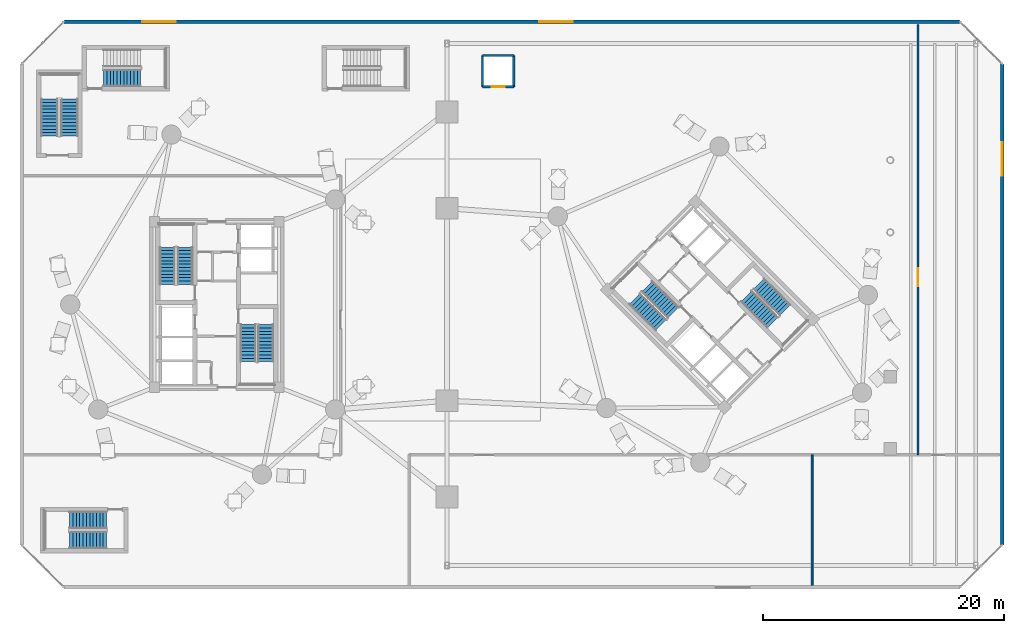
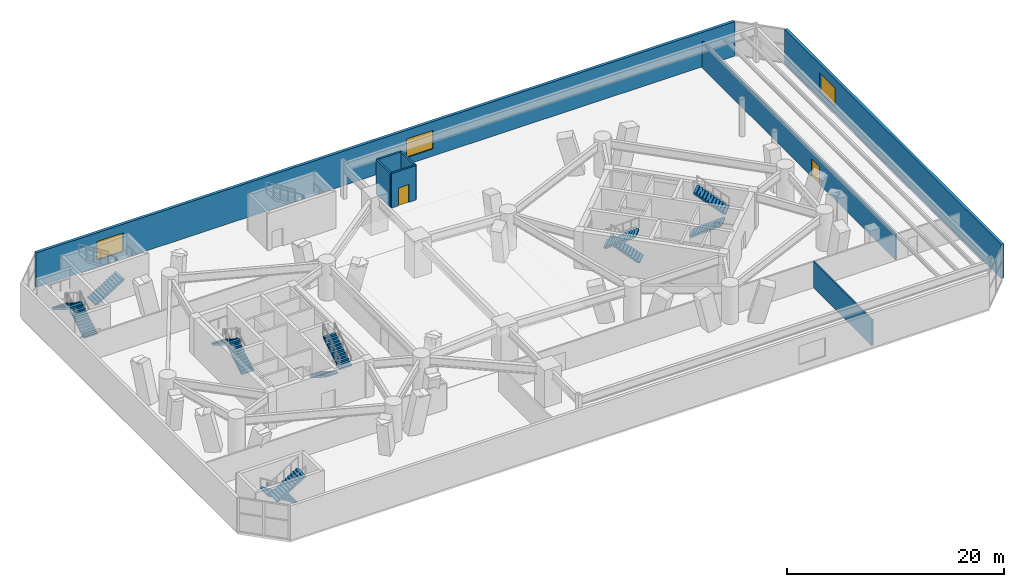
# One storey, part 14 of 20: 13 stair flights, 8 walls, 3 windows, 2 doors, 5 openings, 7 elements without a shape of their own.
"""IFC4 building model written with IfcOpenShell, lengths in metres."""

from ifc_helpers import new_model, si_unit, direction, frame, frame_2d, origin, place, context, subcontext, project, spatial, polyline, rectangle, outline, extrude, source, transform, mapped, material, layer, layer_set, type_object, element, fill, aggregate, save


model = new_model("IFC4")

# Units and contexts
model_context = context("Model", 3, precision=1e-05, world=origin(), true_north=direction((0.0, 1.0)))
body_context = subcontext(model_context, "Body", "Model", "MODEL_VIEW")
ifc_project = project(units=[si_unit("LENGTHUNIT", "METRE"), si_unit("AREAUNIT", "SQUARE_METRE"), si_unit("VOLUMEUNIT", "CUBIC_METRE"), si_unit("PLANEANGLEUNIT", "RADIAN"), si_unit("MASSUNIT", "GRAM", prefix="KILO")], contexts=[model_context])

# Site, building, storey
site_placement = place(None, origin())
site = spatial("IfcSite", under=ifc_project, at=site_placement, CompositionType="ELEMENT")
building_placement = place(site_placement, origin())
building = spatial("IfcBuilding", under=site, at=building_placement, Name="Cununo Teusaquillo Station Towers", CompositionType="ELEMENT")
storey_placement = place(building_placement, frame((0.0, 0.0, 9.0)))
storey = spatial("IfcBuildingStorey", under=building, at=storey_placement, Name="L02", CompositionType="ELEMENT", Elevation=9.0)

# Wall, openings, windows
ifc_material_1 = material(Name="Precast concrete C40/50", Category="concrete")
ifc_layer_1 = layer(ifc_material_1, 0.300048828125)
ifc_layer_set_1 = layer_set([ifc_layer_1], Name="Precast concrete C40/50")
wall_type_1 = type_object("IfcWallType", Name="WL-EXT-300", PredefinedType="SOLIDWALL", material=ifc_layer_set_1)
wall_1_placement = place(storey_placement, frame((3.800048828125, 48.0, 0.0), z_axis=(0.0, 0.0, 1.0), x_axis=(1.0, 0.0, 0.0)))
wall_1 = element("IfcWall", 1, at=wall_1_placement, inside=storey, type_object=wall_type_1, Name="L02 Station Podium Facade Wall 3", PredefinedType="SOLIDWALL", context=body_context, shape_type="SweptSolid", body=[
    extrude(rectangle(XDim=74.5, YDim=0.300048828125, at=frame_2d((37.25, 0.0))), origin(), (0.0, 0.0, 1.0), 3.885009765625),
])
shared_shape_1 = source(origin(), body_context, "Body", "SweptSolid", [
    extrude(rectangle(XDim=2.800048828125, YDim=2.10009765625, at=frame_2d((1.39990234375, 1.050048828125))), frame((0.0, 0.159912109375, 0.0), z_axis=(0.0, -1.0, 0.0), x_axis=(1.0, 0.0, 0.0)), (0.0, 0.0, 1.0), 0.320068359375),
])
opening_1_placement = place(wall_1_placement, frame((6.5, 0.0, 0.800048828125)))
opening_1 = element("IfcOpeningElement", 2, at=opening_1_placement, cuts=wall_1, Name="Opening WN-05", PredefinedType="OPENING", context=body_context, shape_type="MappedRepresentation", body=[
    mapped(shared_shape_1, transform((0.0, 0.0, 0.0), x_axis=(1.0, 0.0, 0.0), y_axis=(0.0, 1.0, 0.0), z_axis=(0.0, 0.0, 1.0), scale=1.0)),
])
opening_2_placement = place(wall_1_placement, frame((39.5, 0.0, 0.800048828125)))
opening_2 = element("IfcOpeningElement", 3, at=opening_2_placement, cuts=wall_1, Name="Opening WN-05", PredefinedType="OPENING", context=body_context, shape_type="MappedRepresentation", body=[
    mapped(shared_shape_1, transform((0.0, 0.0, 0.0), x_axis=(1.0, 0.0, 0.0), y_axis=(0.0, 1.0, 0.0), z_axis=(0.0, 0.0, 1.0), scale=1.0)),
])
ifc_material_2 = material(Name="Laminated acoustic clear low-E glazing", Category="glass")
window_type = type_object("IfcWindowType", Name="WIN-POD-2800", PartitioningType="TRIPLE_PANEL_VERTICAL", PredefinedType="WINDOW", material=ifc_material_2)
shared_shape_2 = source(origin(), body_context, "Body", "SweptSolid", [
    extrude(rectangle(XDim=2.800048828125, YDim=2.10009765625, at=frame_2d((1.39990234375, 1.050048828125))), frame((0.0, 0.030029296875, 0.0), z_axis=(0.0, -1.0, 0.0), x_axis=(1.0, 0.0, 0.0)), (0.0, 0.0, 1.0), 0.06005859375),
])
window_1_placement = place(opening_1_placement, origin())
window_1 = element("IfcWindow", 4, at=window_1_placement, inside=storey, type_object=window_type, Name="L02 Podium Ribbon Window 3.1", OverallHeight=2.10009765625, OverallWidth=2.800048828125, PartitioningType="TRIPLE_PANEL_VERTICAL", PredefinedType="WINDOW", context=body_context, shape_type="MappedRepresentation", body=[
    mapped(shared_shape_2, transform((0.0, 0.0, 0.0), x_axis=(1.0, 0.0, 0.0), y_axis=(0.0, 1.0, 0.0), z_axis=(0.0, 0.0, 1.0), scale=1.0)),
])
fill(opening_1, window_1)
window_2_placement = place(opening_2_placement, origin())
window_2 = element("IfcWindow", 5, at=window_2_placement, inside=storey, type_object=window_type, Name="L02 Podium Ribbon Window 3.4", OverallHeight=2.10009765625, OverallWidth=2.800048828125, PartitioningType="TRIPLE_PANEL_VERTICAL", PredefinedType="WINDOW", context=body_context, shape_type="MappedRepresentation", body=[
    mapped(shared_shape_2, transform((0.0, 0.0, 0.0), x_axis=(1.0, 0.0, 0.0), y_axis=(0.0, 1.0, 0.0), z_axis=(0.0, 0.0, 1.0), scale=1.0)),
])
fill(opening_2, window_2)

# Wall, opening, window
wall_2_placement = place(storey_placement, frame((81.800048828125, 44.5, 0.0), z_axis=(0.0, 0.0, 1.0), x_axis=(0.0, -1.0, 0.0)))
wall_2 = element("IfcWall", 6, at=wall_2_placement, inside=storey, type_object=wall_type_1, Name="L02 Station Podium Facade Wall 5", PredefinedType="SOLIDWALL", context=body_context, shape_type="SweptSolid", body=[
    extrude(rectangle(XDim=40.0, YDim=0.300048828125, at=frame_2d((20.0, 0.0))), origin(), (0.0, 0.0, 1.0), 3.885009765625),
])
opening_3_placement = place(wall_2_placement, frame((6.5, 0.0, 0.800048828125)))
opening_3 = element("IfcOpeningElement", 7, at=opening_3_placement, cuts=wall_2, Name="Opening WN-05", PredefinedType="OPENING", context=body_context, shape_type="MappedRepresentation", body=[
    mapped(shared_shape_1, transform((0.0, 0.0, 0.0), x_axis=(1.0, 0.0, 0.0), y_axis=(0.0, 1.0, 0.0), z_axis=(0.0, 0.0, 1.0), scale=1.0)),
])
window_3_placement = place(opening_3_placement, origin())
window_3 = element("IfcWindow", 8, at=window_3_placement, inside=storey, type_object=window_type, Name="L02 Podium Ribbon Window 5.1", OverallHeight=2.10009765625, OverallWidth=2.800048828125, PartitioningType="TRIPLE_PANEL_VERTICAL", PredefinedType="WINDOW", context=body_context, shape_type="MappedRepresentation", body=[
    mapped(shared_shape_2, transform((0.0, 0.0, 0.0), x_axis=(1.0, 0.0, 0.0), y_axis=(0.0, 1.0, 0.0), z_axis=(0.0, 0.0, 1.0), scale=1.0)),
])
fill(opening_3, window_3)

# Wall, opening, door
ifc_material_3 = material(Name="Fire-rated gypsum plasterboard partition assembly", Category="gypsum")
ifc_layer_2 = layer(ifc_material_3, 0.159912109375)
ifc_layer_set_2 = layer_set([ifc_layer_2], Name="Fire-rated gypsum plasterboard partition assembly")
wall_type_2 = type_object("IfcWallType", Name="WL-PART-160", PredefinedType="PARTITIONING", material=ifc_layer_set_2)
wall_3_placement = place(storey_placement, frame((74.800048828125, 12.0, 0.0), z_axis=(0.0, 0.0, 1.0), x_axis=(0.0, 1.0, 0.0)))
wall_3 = element("IfcWall", 9, at=wall_3_placement, inside=storey, type_object=wall_type_2, Name="L02 Station Gallery East Wing Wall", PredefinedType="PARTITIONING", context=body_context, shape_type="SweptSolid", body=[
    extrude(rectangle(XDim=35.75, YDim=0.159912109375, at=frame_2d((17.875, 0.0))), origin(), (0.0, 0.0, 1.0), 2.928955078125),
])
shared_shape_3 = source(origin(), body_context, "Body", "SweptSolid", [
    extrude(rectangle(XDim=1.5, YDim=2.02001953125, at=frame_2d((0.75, 1.010009765625))), frame((0.0, 0.08984375, 0.0), z_axis=(0.0, -1.0, 0.0), x_axis=(1.0, 0.0, 0.0)), (0.0, 0.0, 1.0), 0.179931640625),
])
opening_4_placement = place(wall_3_placement, frame((14.0, 0.0, 0.0)))
opening_4 = element("IfcOpeningElement", 10, at=opening_4_placement, cuts=wall_3, Name="Opening D-LB1", PredefinedType="OPENING", context=body_context, shape_type="MappedRepresentation", body=[
    mapped(shared_shape_3, transform((0.0, 0.0, 0.0), x_axis=(1.0, 0.0, 0.0), y_axis=(0.0, 1.0, 0.0), z_axis=(0.0, 0.0, 1.0), scale=1.0)),
])
ifc_material_4 = material(Name="Galvanised fire-rated hollow steel door assembly", Category="steel")
door_type_1 = type_object("IfcDoorType", Name="DR-LOBBY-1500", OperationType="DOUBLE_DOOR_SINGLE_SWING", PredefinedType="DOOR", material=ifc_material_4)
shared_shape_4 = source(origin(), body_context, "Body", "SweptSolid", [
    extrude(rectangle(XDim=1.5, YDim=2.02001953125, at=frame_2d((0.75, 1.010009765625))), frame((0.0, 0.02490234375, 0.0), z_axis=(0.0, -1.0, 0.0), x_axis=(1.0, 0.0, 0.0)), (0.0, 0.0, 1.0), 0.050048828125),
])
door_1_placement = place(opening_4_placement, origin())
door_1 = element("IfcDoor", 11, at=door_1_placement, inside=storey, type_object=door_type_1, Name="L02 East Wing Door", OperationType="DOUBLE_DOOR_SINGLE_SWING", OverallHeight=2.02001953125, OverallWidth=1.5, PredefinedType="DOOR", context=body_context, shape_type="MappedRepresentation", body=[
    mapped(shared_shape_4, transform((0.0, 0.0, 0.0), x_axis=(1.0, 0.0, 0.0), y_axis=(0.0, 1.0, 0.0), z_axis=(0.0, 0.0, 1.0), scale=1.0)),
])
fill(opening_4, door_1)

# Wall
wall_4_placement = place(storey_placement, frame((66.0, 1.14990234375, 0.0), z_axis=(0.0, 0.0, 1.0), x_axis=(0.0, 1.0, 0.0)))
element("IfcWall", 12, at=wall_4_placement, inside=storey, type_object=wall_type_2, Name="L02 Public Restroom Divider Wall", PredefinedType="PARTITIONING", context=body_context, shape_type="SweptSolid", body=[
    extrude(rectangle(XDim=10.85009765625, YDim=0.159912109375, at=frame_2d((5.425048828125, 0.0))), origin(), (0.0, 0.0, 1.0), 2.928955078125),
])

# Wall, opening, door
ifc_material_5 = material(Name="Fire-rated gypsum plasterboard partition assembly", Category="gypsum")
ifc_layer_3 = layer(ifc_material_5, 0.199951171875)
ifc_layer_set_3 = layer_set([ifc_layer_3], Name="Fire-rated gypsum plasterboard partition assembly")
wall_type_3 = type_object("IfcWallType", Name="WL-PART-200", PredefinedType="PARTITIONING", material=ifc_layer_set_3)
wall_5_placement = place(storey_placement, frame((38.60009765625, 42.60009765625, 0.0), z_axis=(0.0, 0.0, 1.0), x_axis=(1.0, 0.0, 0.0)))
wall_5 = element("IfcWall", 13, at=wall_5_placement, inside=storey, type_object=wall_type_3, Name="L02 Podium Lift Shaft Enclosure Wall S", PredefinedType="PARTITIONING", context=body_context, shape_type="SweptSolid", body=[
    extrude(rectangle(XDim=2.599853515625, YDim=0.199951171875, at=frame_2d((1.2998046875, 0.0))), origin(), (0.0, 0.0, 1.0), 3.885009765625),
])
shared_shape_5 = source(origin(), body_context, "Body", "SweptSolid", [
    extrude(rectangle(XDim=1.10009765625, YDim=2.014892578125, at=frame_2d((0.550048828125, 1.00732421875))), frame((0.0, 0.10986328125, 0.0), z_axis=(0.0, -1.0, 0.0), x_axis=(1.0, 0.0, 0.0)), (0.0, 0.0, 1.0), 0.219970703125),
])
opening_5_placement = place(wall_5_placement, frame((0.75, 0.0, 0.0)))
opening_5 = element("IfcOpeningElement", 14, at=opening_5_placement, cuts=wall_5, Name="Opening LD-01", PredefinedType="OPENING", context=body_context, shape_type="MappedRepresentation", body=[
    mapped(shared_shape_5, transform((0.0, 0.0, 0.0), x_axis=(1.0, 0.0, 0.0), y_axis=(0.0, 1.0, 0.0), z_axis=(0.0, 0.0, 1.0), scale=1.0)),
])
ifc_material_6 = material(Name="Galvanised fire-rated hollow steel door assembly", Category="steel")
door_type_2 = type_object("IfcDoorType", Name="DR-LIFT-1100", OperationType="SLIDING_TO_LEFT", PredefinedType="DOOR", material=ifc_material_6)
shared_shape_6 = source(origin(), body_context, "Body", "SweptSolid", [
    extrude(rectangle(XDim=1.10009765625, YDim=2.014892578125, at=frame_2d((0.550048828125, 1.00732421875))), frame((0.0, 0.02490234375, 0.0), z_axis=(0.0, -1.0, 0.0), x_axis=(1.0, 0.0, 0.0)), (0.0, 0.0, 1.0), 0.050048828125),
])
door_2_placement = place(opening_5_placement, origin())
door_2 = element("IfcDoor", 15, at=door_2_placement, inside=storey, type_object=door_type_2, Name="L02 Lift PL-POD1 Sliding Landing Door", OperationType="SLIDING_TO_LEFT", OverallHeight=2.014892578125, OverallWidth=1.10009765625, PredefinedType="DOOR", context=body_context, shape_type="MappedRepresentation", body=[
    mapped(shared_shape_6, transform((0.0, 0.0, 0.0), x_axis=(1.0, 0.0, 0.0), y_axis=(0.0, 1.0, 0.0), z_axis=(0.0, 0.0, 1.0), scale=1.0)),
])
fill(opening_5, door_2)

# Walls
for number, where, z_axis, x_axis, name in (
    (16, (38.60009765625, 45.199951171875, 0.0), (0.0, 0.0, 1.0), (1.0, 0.0, 0.0), "L02 Podium Lift Shaft Enclosure Wall N"),
    (17, (38.60009765625, 42.60009765625, 0.0), (0.0, 0.0, 1.0), (0.0, 1.0, 0.0), "L02 Podium Lift Shaft Enclosure Wall W"),
    (18, (41.199951171875, 42.60009765625, 0.0), (0.0, 0.0, 1.0), (0.0, 1.0, 0.0), "L02 Podium Lift Shaft Enclosure Wall E"),
):
    element("IfcWall", number, at=place(storey_placement, frame(where, z_axis=z_axis, x_axis=x_axis)), inside=storey, type_object=wall_type_3, Name=name, PredefinedType="PARTITIONING", context=body_context, shape_type="SweptSolid", body=[
        extrude(rectangle(XDim=2.599853515625, YDim=0.199951171875, at=frame_2d((1.2998046875, 0.0))), origin(), (0.0, 0.0, 1.0), 3.885009765625),
    ])

# Stair, stair flights
ifc_material_7 = material(Name="Concrete C50/60", Category="concrete")
stair_type_1 = type_object("IfcStairType", Name="ST-POD-1450", PredefinedType="HALF_TURN_STAIR", material=ifc_material_7)
stair_1_placement = place(storey_placement, origin())
stair_1 = element("IfcStair", 19, at=stair_1_placement, inside=storey, type_object=stair_type_1, Name="L02 Station Podium South Protected Exit Stair", PredefinedType="HALF_TURN_STAIR")
ifc_material_8 = material(Name="Concrete C50/60", Category="concrete")
stair_flight_type_1 = type_object("IfcStairFlightType", Name="SFL-POD-1450", PredefinedType="STRAIGHT", material=ifc_material_8)
stair_flight_1_placement = place(storey_placement, frame((7.35009765625, 6.574951171875, 0.0), z_axis=(0.0, 0.0, 1.0), x_axis=(-1.0, 0.0, 0.0)))
stair_flight_1 = element("IfcStairFlight", 20, at=stair_flight_1_placement, type_object=stair_flight_type_1, Name="ST-POD-S flight 1", NumberOfRisers=12, NumberOfTreads=11, PredefinedType="STRAIGHT", RiserHeight=0.175, TreadLength=0.28, context=body_context, shape_type="SweptSolid", body=[
    extrude(outline(polyline([(0.0, 0.0), (0.0, 0.175048828125), (0.280029296875, 0.175048828125), (0.280029296875, 0.35009765625), (0.56005859375, 0.35009765625), (0.56005859375, 0.52490234375), (0.840087890625, 0.52490234375), (0.840087890625, 0.699951171875), (1.1201171875, 0.699951171875), (1.1201171875, 0.875), (1.39990234375, 0.875), (1.39990234375, 1.050048828125), (1.679931640625, 1.050048828125), (1.679931640625, 1.22509765625), (1.9599609375, 1.22509765625), (1.9599609375, 1.39990234375), (2.239990234375, 1.39990234375), (2.239990234375, 1.574951171875), (2.52001953125, 1.574951171875), (2.52001953125, 1.75), (2.800048828125, 1.75), (2.800048828125, 1.925048828125), (3.080078125, 1.925048828125), (3.080078125, 2.10009765625), (3.080078125, 1.748291015625), (0.28271484375, 0.0), (0.0, 0.0)])), frame((0.0, 0.72509765625, 0.0), z_axis=(0.0, -1.0, 0.0), x_axis=(1.0, 0.0, 0.0)), (0.0, 0.0, 1.0), 1.449951171875),
])
stair_flight_2_placement = place(storey_placement, frame((4.27001953125, 4.925048828125, 2.10009765625), z_axis=(0.0, 0.0, 1.0), x_axis=(1.0, 0.0, 0.0)))
stair_flight_2 = element("IfcStairFlight", 21, at=stair_flight_2_placement, type_object=stair_flight_type_1, Name="ST-POD-S flight 2", NumberOfRisers=12, NumberOfTreads=11, PredefinedType="STRAIGHT", RiserHeight=0.175, TreadLength=0.28, context=body_context, shape_type="SweptSolid", body=[
    extrude(outline(polyline([(0.0, 0.0), (0.0, 0.175048828125), (0.280029296875, 0.175048828125), (0.280029296875, 0.35009765625), (0.56005859375, 0.35009765625), (0.56005859375, 0.52490234375), (0.840087890625, 0.52490234375), (0.840087890625, 0.699951171875), (1.1201171875, 0.699951171875), (1.1201171875, 0.875), (1.39990234375, 0.875), (1.39990234375, 1.050048828125), (1.679931640625, 1.050048828125), (1.679931640625, 1.22509765625), (1.9599609375, 1.22509765625), (1.9599609375, 1.39990234375), (2.239990234375, 1.39990234375), (2.239990234375, 1.574951171875), (2.52001953125, 1.574951171875), (2.52001953125, 1.75), (2.800048828125, 1.75), (2.800048828125, 1.925048828125), (3.080078125, 1.925048828125), (3.080078125, 2.10009765625), (3.080078125, 1.748291015625), (0.28271484375, 0.0), (0.0, 0.0)])), frame((0.0, 0.72509765625, 0.0), z_axis=(0.0, -1.0, 0.0), x_axis=(1.0, 0.0, 0.0)), (0.0, 0.0, 1.0), 1.449951171875),
])
aggregate(stair_1, [stair_flight_1, stair_flight_2])

stair_2_placement = place(storey_placement, origin())
stair_2 = element("IfcStair", 22, at=stair_2_placement, inside=storey, type_object=stair_type_1, Name="L02 Station Podium West Protected Exit Stair", PredefinedType="HALF_TURN_STAIR")
stair_flight_3_placement = place(storey_placement, frame((4.2548828125, 38.5, 0.0), z_axis=(0.0, 0.0, 1.0), x_axis=(0.0, 1.0, 0.0)))
stair_flight_3 = element("IfcStairFlight", 23, at=stair_flight_3_placement, type_object=stair_flight_type_1, Name="ST-POD-W flight 1", NumberOfRisers=12, NumberOfTreads=11, PredefinedType="STRAIGHT", RiserHeight=0.175, TreadLength=0.28, context=body_context, shape_type="SweptSolid", body=[
    extrude(outline(polyline([(0.0, 0.0), (0.0, 0.175048828125), (0.280029296875, 0.175048828125), (0.280029296875, 0.35009765625), (0.56005859375, 0.35009765625), (0.56005859375, 0.52490234375), (0.840087890625, 0.52490234375), (0.840087890625, 0.699951171875), (1.1201171875, 0.699951171875), (1.1201171875, 0.875), (1.39990234375, 0.875), (1.39990234375, 1.050048828125), (1.679931640625, 1.050048828125), (1.679931640625, 1.22509765625), (1.9599609375, 1.22509765625), (1.9599609375, 1.39990234375), (2.239990234375, 1.39990234375), (2.239990234375, 1.574951171875), (2.52001953125, 1.574951171875), (2.52001953125, 1.75), (2.800048828125, 1.75), (2.800048828125, 1.925048828125), (3.080078125, 1.925048828125), (3.080078125, 2.10009765625), (3.080078125, 1.748291015625), (0.28271484375, 0.0), (0.0, 0.0)])), frame((0.0, 0.72509765625, 0.0), z_axis=(0.0, -1.0, 0.0), x_axis=(1.0, 0.0, 0.0)), (0.0, 0.0, 1.0), 1.449951171875),
])
stair_flight_4_placement = place(storey_placement, frame((2.60498046875, 41.580078125, 2.10009765625), z_axis=(0.0, 0.0, 1.0), x_axis=(0.0, -1.0, 0.0)))
stair_flight_4 = element("IfcStairFlight", 24, at=stair_flight_4_placement, type_object=stair_flight_type_1, Name="ST-POD-W flight 2", NumberOfRisers=12, NumberOfTreads=11, PredefinedType="STRAIGHT", RiserHeight=0.175, TreadLength=0.28, context=body_context, shape_type="SweptSolid", body=[
    extrude(outline(polyline([(0.0, 0.0), (0.0, 0.175048828125), (0.280029296875, 0.175048828125), (0.280029296875, 0.35009765625), (0.56005859375, 0.35009765625), (0.56005859375, 0.52490234375), (0.840087890625, 0.52490234375), (0.840087890625, 0.699951171875), (1.1201171875, 0.699951171875), (1.1201171875, 0.875), (1.39990234375, 0.875), (1.39990234375, 1.050048828125), (1.679931640625, 1.050048828125), (1.679931640625, 1.22509765625), (1.9599609375, 1.22509765625), (1.9599609375, 1.39990234375), (2.239990234375, 1.39990234375), (2.239990234375, 1.574951171875), (2.52001953125, 1.574951171875), (2.52001953125, 1.75), (2.800048828125, 1.75), (2.800048828125, 1.925048828125), (3.080078125, 1.925048828125), (3.080078125, 2.10009765625), (3.080078125, 1.748291015625), (0.28271484375, 0.0), (0.0, 0.0)])), frame((0.0, 0.72509765625, 0.0), z_axis=(0.0, -1.0, 0.0), x_axis=(1.0, 0.0, 0.0)), (0.0, 0.0, 1.0), 1.449951171875),
])
aggregate(stair_2, [stair_flight_3, stair_flight_4])

# Stair, stair flight
stair_3_placement = place(storey_placement, origin())
stair_3 = element("IfcStair", 25, at=stair_3_placement, inside=storey, type_object=stair_type_1, Name="L02 Station Podium North-West Protected Exit Stair", PredefinedType="HALF_TURN_STAIR")
stair_flight_5_placement = place(storey_placement, frame((7.10009765625, 43.324951171875, 0.0), z_axis=(0.0, 0.0, 1.0), x_axis=(1.0, 0.0, 0.0)))
stair_flight_5 = element("IfcStairFlight", 26, at=stair_flight_5_placement, type_object=stair_flight_type_1, Name="ST-POD-C flight 1", NumberOfRisers=12, NumberOfTreads=11, PredefinedType="STRAIGHT", RiserHeight=0.175, TreadLength=0.28, context=body_context, shape_type="SweptSolid", body=[
    extrude(outline(polyline([(0.0, 0.0), (0.0, 0.175048828125), (0.280029296875, 0.175048828125), (0.280029296875, 0.35009765625), (0.56005859375, 0.35009765625), (0.56005859375, 0.52490234375), (0.840087890625, 0.52490234375), (0.840087890625, 0.699951171875), (1.1201171875, 0.699951171875), (1.1201171875, 0.875), (1.39990234375, 0.875), (1.39990234375, 1.050048828125), (1.679931640625, 1.050048828125), (1.679931640625, 1.22509765625), (1.9599609375, 1.22509765625), (1.9599609375, 1.39990234375), (2.239990234375, 1.39990234375), (2.239990234375, 1.574951171875), (2.52001953125, 1.574951171875), (2.52001953125, 1.75), (2.800048828125, 1.75), (2.800048828125, 1.925048828125), (3.080078125, 1.925048828125), (3.080078125, 2.10009765625), (3.080078125, 1.748291015625), (0.28271484375, 0.0), (0.0, 0.0)])), frame((0.0, 0.72509765625, 0.0), z_axis=(0.0, -1.0, 0.0), x_axis=(1.0, 0.0, 0.0)), (0.0, 0.0, 1.0), 1.449951171875),
])
aggregate(stair_3, [stair_flight_5])

# Stair, stair flights
ifc_material_9 = material(Name="Concrete C50/60", Category="concrete")
stair_type_2 = type_object("IfcStairType", Name="ST-TWR-1300", PredefinedType="HALF_TURN_STAIR", material=ifc_material_9)
stair_4_placement = place(storey_placement, origin())
stair_4 = element("IfcStair", 27, at=stair_4_placement, inside=storey, type_object=stair_type_2, Name="L02 Tower A Protected Core Exit Stair 1", PredefinedType="HALF_TURN_STAIR")
ifc_material_10 = material(Name="Concrete C50/60", Category="concrete")
stair_flight_type_2 = type_object("IfcStairFlightType", Name="SFL-TWR-1300", PredefinedType="STRAIGHT", material=ifc_material_10)
stair_flight_6_placement = place(storey_placement, frame((13.8701171875, 26.169921875, 0.0), z_axis=(0.0, 0.0, 1.0), x_axis=(0.0, 1.0, 0.0)))
stair_flight_6 = element("IfcStairFlight", 28, at=stair_flight_6_placement, type_object=stair_flight_type_2, Name="ST-T1-1 flight 1", NumberOfRisers=12, NumberOfTreads=11, PredefinedType="STRAIGHT", RiserHeight=0.175, TreadLength=0.28, context=body_context, shape_type="SweptSolid", body=[
    extrude(outline(polyline([(0.0, 0.0), (0.0, 0.175048828125), (0.280029296875, 0.175048828125), (0.280029296875, 0.35009765625), (0.56005859375, 0.35009765625), (0.56005859375, 0.52490234375), (0.840087890625, 0.52490234375), (0.840087890625, 0.699951171875), (1.1201171875, 0.699951171875), (1.1201171875, 0.875), (1.39990234375, 0.875), (1.39990234375, 1.050048828125), (1.679931640625, 1.050048828125), (1.679931640625, 1.22509765625), (1.9599609375, 1.22509765625), (1.9599609375, 1.39990234375), (2.239990234375, 1.39990234375), (2.239990234375, 1.574951171875), (2.52001953125, 1.574951171875), (2.52001953125, 1.75), (2.800048828125, 1.75), (2.800048828125, 1.925048828125), (3.080078125, 1.925048828125), (3.080078125, 2.10009765625), (3.080078125, 1.748291015625), (0.28271484375, 0.0), (0.0, 0.0)])), frame((0.0, 0.64990234375, 0.0), z_axis=(0.0, -1.0, 0.0), x_axis=(1.0, 0.0, 0.0)), (0.0, 0.0, 1.0), 1.300048828125),
])
stair_flight_7_placement = place(storey_placement, frame((12.409912109375, 29.25, 2.10009765625), z_axis=(0.0, 0.0, 1.0), x_axis=(0.0, -1.0, 0.0)))
stair_flight_7 = element("IfcStairFlight", 29, at=stair_flight_7_placement, type_object=stair_flight_type_2, Name="ST-T1-1 flight 2", NumberOfRisers=12, NumberOfTreads=11, PredefinedType="STRAIGHT", RiserHeight=0.175, TreadLength=0.28, context=body_context, shape_type="SweptSolid", body=[
    extrude(outline(polyline([(0.0, 0.0), (0.0, 0.175048828125), (0.280029296875, 0.175048828125), (0.280029296875, 0.35009765625), (0.56005859375, 0.35009765625), (0.56005859375, 0.52490234375), (0.840087890625, 0.52490234375), (0.840087890625, 0.699951171875), (1.1201171875, 0.699951171875), (1.1201171875, 0.875), (1.39990234375, 0.875), (1.39990234375, 1.050048828125), (1.679931640625, 1.050048828125), (1.679931640625, 1.22509765625), (1.9599609375, 1.22509765625), (1.9599609375, 1.39990234375), (2.239990234375, 1.39990234375), (2.239990234375, 1.574951171875), (2.52001953125, 1.574951171875), (2.52001953125, 1.75), (2.800048828125, 1.75), (2.800048828125, 1.925048828125), (3.080078125, 1.925048828125), (3.080078125, 2.10009765625), (3.080078125, 1.748291015625), (0.28271484375, 0.0), (0.0, 0.0)])), frame((0.0, 0.64990234375, 0.0), z_axis=(0.0, -1.0, 0.0), x_axis=(1.0, 0.0, 0.0)), (0.0, 0.0, 1.0), 1.300048828125),
])
aggregate(stair_4, [stair_flight_6, stair_flight_7])

stair_5_placement = place(storey_placement, origin())
stair_5 = element("IfcStair", 30, at=stair_5_placement, inside=storey, type_object=stair_type_2, Name="L02 Tower A Protected Core Exit Stair 2", PredefinedType="HALF_TURN_STAIR")
stair_flight_8_placement = place(storey_placement, frame((19.1298828125, 22.830078125, 0.0), z_axis=(0.0, 0.0, 1.0), x_axis=(0.0, -1.0, 0.0)))
stair_flight_8 = element("IfcStairFlight", 31, at=stair_flight_8_placement, type_object=stair_flight_type_2, Name="ST-T1-2 flight 1", NumberOfRisers=12, NumberOfTreads=11, PredefinedType="STRAIGHT", RiserHeight=0.175, TreadLength=0.28, context=body_context, shape_type="SweptSolid", body=[
    extrude(outline(polyline([(0.0, 0.0), (0.0, 0.175048828125), (0.280029296875, 0.175048828125), (0.280029296875, 0.35009765625), (0.56005859375, 0.35009765625), (0.56005859375, 0.52490234375), (0.840087890625, 0.52490234375), (0.840087890625, 0.699951171875), (1.1201171875, 0.699951171875), (1.1201171875, 0.875), (1.39990234375, 0.875), (1.39990234375, 1.050048828125), (1.679931640625, 1.050048828125), (1.679931640625, 1.22509765625), (1.9599609375, 1.22509765625), (1.9599609375, 1.39990234375), (2.239990234375, 1.39990234375), (2.239990234375, 1.574951171875), (2.52001953125, 1.574951171875), (2.52001953125, 1.75), (2.800048828125, 1.75), (2.800048828125, 1.925048828125), (3.080078125, 1.925048828125), (3.080078125, 2.10009765625), (3.080078125, 1.748291015625), (0.28271484375, 0.0), (0.0, 0.0)])), frame((0.0, 0.64990234375, 0.0), z_axis=(0.0, -1.0, 0.0), x_axis=(1.0, 0.0, 0.0)), (0.0, 0.0, 1.0), 1.300048828125),
])
stair_flight_9_placement = place(storey_placement, frame((20.590087890625, 19.75, 2.10009765625), z_axis=(0.0, 0.0, 1.0), x_axis=(0.0, 1.0, 0.0)))
stair_flight_9 = element("IfcStairFlight", 32, at=stair_flight_9_placement, type_object=stair_flight_type_2, Name="ST-T1-2 flight 2", NumberOfRisers=12, NumberOfTreads=11, PredefinedType="STRAIGHT", RiserHeight=0.175, TreadLength=0.28, context=body_context, shape_type="SweptSolid", body=[
    extrude(outline(polyline([(0.0, 0.0), (0.0, 0.175048828125), (0.280029296875, 0.175048828125), (0.280029296875, 0.35009765625), (0.56005859375, 0.35009765625), (0.56005859375, 0.52490234375), (0.840087890625, 0.52490234375), (0.840087890625, 0.699951171875), (1.1201171875, 0.699951171875), (1.1201171875, 0.875), (1.39990234375, 0.875), (1.39990234375, 1.050048828125), (1.679931640625, 1.050048828125), (1.679931640625, 1.22509765625), (1.9599609375, 1.22509765625), (1.9599609375, 1.39990234375), (2.239990234375, 1.39990234375), (2.239990234375, 1.574951171875), (2.52001953125, 1.574951171875), (2.52001953125, 1.75), (2.800048828125, 1.75), (2.800048828125, 1.925048828125), (3.080078125, 1.925048828125), (3.080078125, 2.10009765625), (3.080078125, 1.748291015625), (0.28271484375, 0.0), (0.0, 0.0)])), frame((0.0, 0.64990234375, 0.0), z_axis=(0.0, -1.0, 0.0), x_axis=(1.0, 0.0, 0.0)), (0.0, 0.0, 1.0), 1.300048828125),
])
aggregate(stair_5, [stair_flight_8, stair_flight_9])

stair_6_placement = place(storey_placement, origin())
stair_6 = element("IfcStair", 33, at=stair_6_placement, inside=storey, type_object=stair_type_2, Name="L02 Tower B Protected Core Exit Stair 1", PredefinedType="HALF_TURN_STAIR")
stair_flight_10_placement = place(storey_placement, frame((54.45947265625, 23.8212890625, 0.0), z_axis=(0.0, 0.0, 1.0), x_axis=(-0.707106781187, 0.707106781187, 0.0)))
stair_flight_10 = element("IfcStairFlight", 34, at=stair_flight_10_placement, type_object=stair_flight_type_2, Name="ST-T2-1 flight 1", NumberOfRisers=12, NumberOfTreads=11, PredefinedType="STRAIGHT", RiserHeight=0.175, TreadLength=0.28, context=body_context, shape_type="SweptSolid", body=[
    extrude(outline(polyline([(0.0, 0.0), (0.0, 0.175048828125), (0.280029296875, 0.175048828125), (0.280029296875, 0.35009765625), (0.56005859375, 0.35009765625), (0.56005859375, 0.52490234375), (0.840087890625, 0.52490234375), (0.840087890625, 0.699951171875), (1.1201171875, 0.699951171875), (1.1201171875, 0.875), (1.39990234375, 0.875), (1.39990234375, 1.050048828125), (1.679931640625, 1.050048828125), (1.679931640625, 1.22509765625), (1.9599609375, 1.22509765625), (1.9599609375, 1.39990234375), (2.239990234375, 1.39990234375), (2.239990234375, 1.574951171875), (2.52001953125, 1.574951171875), (2.52001953125, 1.75), (2.800048828125, 1.75), (2.800048828125, 1.925048828125), (3.080078125, 1.925048828125), (3.080078125, 2.10009765625), (3.080078125, 1.748291015625), (0.28271484375, 0.0), (0.0, 0.0)])), frame((0.0, 0.64990234375, 0.0), z_axis=(0.0, -1.0, 0.0), x_axis=(1.0, 0.0, 0.0)), (0.0, 0.0, 1.0), 1.300048828125),
])
stair_flight_11_placement = place(storey_placement, frame((51.249267578125, 24.966796875, 2.10009765625), z_axis=(0.0, 0.0, 1.0), x_axis=(0.707106781187, -0.707106781187, 0.0)))
stair_flight_11 = element("IfcStairFlight", 35, at=stair_flight_11_placement, type_object=stair_flight_type_2, Name="ST-T2-1 flight 2", NumberOfRisers=12, NumberOfTreads=11, PredefinedType="STRAIGHT", RiserHeight=0.175, TreadLength=0.28, context=body_context, shape_type="SweptSolid", body=[
    extrude(outline(polyline([(0.0, 0.0), (0.0, 0.175048828125), (0.280029296875, 0.175048828125), (0.280029296875, 0.35009765625), (0.56005859375, 0.35009765625), (0.56005859375, 0.52490234375), (0.840087890625, 0.52490234375), (0.840087890625, 0.699951171875), (1.1201171875, 0.699951171875), (1.1201171875, 0.875), (1.39990234375, 0.875), (1.39990234375, 1.050048828125), (1.679931640625, 1.050048828125), (1.679931640625, 1.22509765625), (1.9599609375, 1.22509765625), (1.9599609375, 1.39990234375), (2.239990234375, 1.39990234375), (2.239990234375, 1.574951171875), (2.52001953125, 1.574951171875), (2.52001953125, 1.75), (2.800048828125, 1.75), (2.800048828125, 1.925048828125), (3.080078125, 1.925048828125), (3.080078125, 2.10009765625), (3.080078125, 1.748291015625), (0.28271484375, 0.0), (0.0, 0.0)])), frame((0.0, 0.64990234375, 0.0), z_axis=(0.0, -1.0, 0.0), x_axis=(1.0, 0.0, 0.0)), (0.0, 0.0, 1.0), 1.300048828125),
])
aggregate(stair_6, [stair_flight_10, stair_flight_11])

stair_7_placement = place(storey_placement, origin())
stair_7 = element("IfcStair", 36, at=stair_7_placement, inside=storey, type_object=stair_type_2, Name="L02 Tower B Protected Core Exit Stair 2", PredefinedType="HALF_TURN_STAIR")
stair_flight_12_placement = place(storey_placement, frame((60.54052734375, 25.1787109375, 0.0), z_axis=(0.0, 0.0, 1.0), x_axis=(0.707106781187, -0.707106781187, 0.0)))
stair_flight_12 = element("IfcStairFlight", 37, at=stair_flight_12_placement, type_object=stair_flight_type_2, Name="ST-T2-2 flight 1", NumberOfRisers=12, NumberOfTreads=11, PredefinedType="STRAIGHT", RiserHeight=0.175, TreadLength=0.28, context=body_context, shape_type="SweptSolid", body=[
    extrude(outline(polyline([(0.0, 0.0), (0.0, 0.175048828125), (0.280029296875, 0.175048828125), (0.280029296875, 0.35009765625), (0.56005859375, 0.35009765625), (0.56005859375, 0.52490234375), (0.840087890625, 0.52490234375), (0.840087890625, 0.699951171875), (1.1201171875, 0.699951171875), (1.1201171875, 0.875), (1.39990234375, 0.875), (1.39990234375, 1.050048828125), (1.679931640625, 1.050048828125), (1.679931640625, 1.22509765625), (1.9599609375, 1.22509765625), (1.9599609375, 1.39990234375), (2.239990234375, 1.39990234375), (2.239990234375, 1.574951171875), (2.52001953125, 1.574951171875), (2.52001953125, 1.75), (2.800048828125, 1.75), (2.800048828125, 1.925048828125), (3.080078125, 1.925048828125), (3.080078125, 2.10009765625), (3.080078125, 1.748291015625), (0.28271484375, 0.0), (0.0, 0.0)])), frame((0.0, 0.64990234375, 0.0), z_axis=(0.0, -1.0, 0.0), x_axis=(1.0, 0.0, 0.0)), (0.0, 0.0, 1.0), 1.300048828125),
])
stair_flight_13_placement = place(storey_placement, frame((63.750732421875, 24.033203125, 2.10009765625), z_axis=(0.0, 0.0, 1.0), x_axis=(-0.707106781187, 0.707106781187, 0.0)))
stair_flight_13 = element("IfcStairFlight", 38, at=stair_flight_13_placement, type_object=stair_flight_type_2, Name="ST-T2-2 flight 2", NumberOfRisers=12, NumberOfTreads=11, PredefinedType="STRAIGHT", RiserHeight=0.175, TreadLength=0.28, context=body_context, shape_type="SweptSolid", body=[
    extrude(outline(polyline([(0.0, 0.0), (0.0, 0.175048828125), (0.280029296875, 0.175048828125), (0.280029296875, 0.35009765625), (0.56005859375, 0.35009765625), (0.56005859375, 0.52490234375), (0.840087890625, 0.52490234375), (0.840087890625, 0.699951171875), (1.1201171875, 0.699951171875), (1.1201171875, 0.875), (1.39990234375, 0.875), (1.39990234375, 1.050048828125), (1.679931640625, 1.050048828125), (1.679931640625, 1.22509765625), (1.9599609375, 1.22509765625), (1.9599609375, 1.39990234375), (2.239990234375, 1.39990234375), (2.239990234375, 1.574951171875), (2.52001953125, 1.574951171875), (2.52001953125, 1.75), (2.800048828125, 1.75), (2.800048828125, 1.925048828125), (3.080078125, 1.925048828125), (3.080078125, 2.10009765625), (3.080078125, 1.748291015625), (0.28271484375, 0.0), (0.0, 0.0)])), frame((0.0, 0.64990234375, 0.0), z_axis=(0.0, -1.0, 0.0), x_axis=(1.0, 0.0, 0.0)), (0.0, 0.0, 1.0), 1.300048828125),
])
aggregate(stair_7, [stair_flight_12, stair_flight_13])

save(model, "model.ifc")
